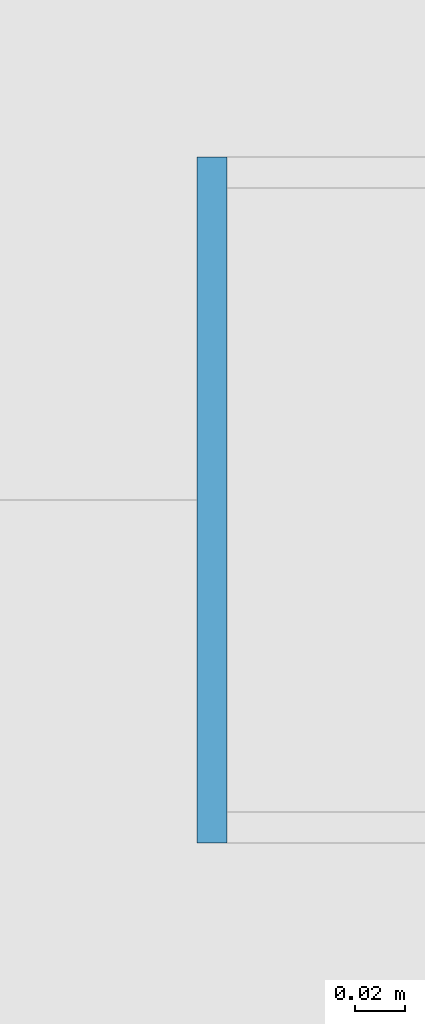
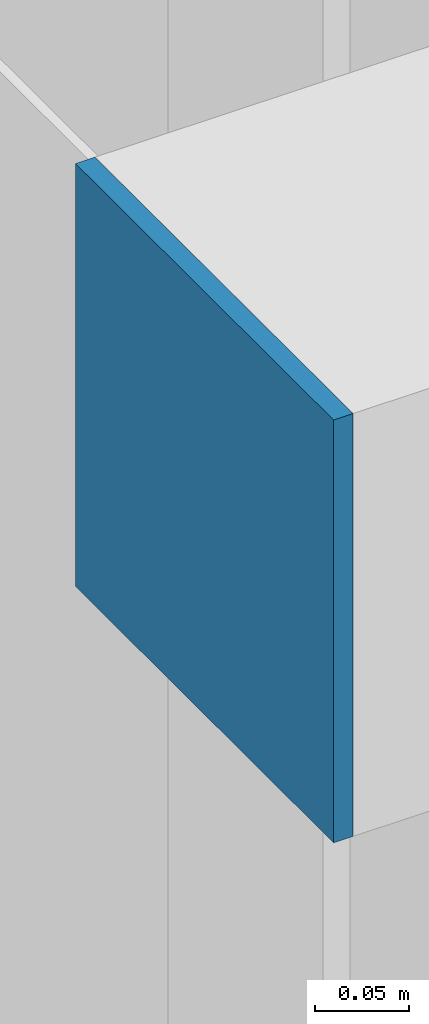
# One storey, part 46 of 58: 1 plate.
"""IFC4 building model written with IfcOpenShell, lengths in metres."""

from ifc_helpers import new_model, si_unit, direction, frame, origin, origin_2d, place, context, subcontext, project, spatial, rectangle, extrude, source, transform, mapped, material, layer, layer_set, type_object, element, save


model = new_model("IFC4")

# Units and contexts
model_context = context("Model", 3, precision=1e-05, world=origin(), true_north=direction((0.0, 1.0)))
body_context = subcontext(model_context, "Body", "Model", "MODEL_VIEW")
ifc_project = project(units=[si_unit("LENGTHUNIT", "METRE"), si_unit("AREAUNIT", "SQUARE_METRE"), si_unit("VOLUMEUNIT", "CUBIC_METRE"), si_unit("PLANEANGLEUNIT", "RADIAN"), si_unit("MASSUNIT", "GRAM", prefix="KILO")], contexts=[model_context])

# Site, building, storey
site_placement = place(None, origin())
site = spatial("IfcSite", under=ifc_project, at=site_placement, CompositionType="ELEMENT")
building_placement = place(site_placement, origin())
building = spatial("IfcBuilding", under=site, at=building_placement, Name="Taldren Reach Tower", CompositionType="ELEMENT")
storey_placement = place(building_placement, frame((0.0, 0.0, 51.449951171875)))
storey = spatial("IfcBuildingStorey", under=building, at=storey_placement, Name="L15", CompositionType="ELEMENT", Elevation=51.449951171875)

# Plate
ifc_material = material(Name="Steel Gr 450 (C450L0)", Category="steel")
ifc_layer = layer(ifc_material, 0.011962890625)
ifc_layer_set = layer_set([ifc_layer], Name="Steel Gr 450 (C450L0)")
plate_type = type_object("IfcPlateType", Name="PL-CAP-275", PredefinedType="SHEET", material=ifc_layer_set)
shared_shape = source(origin(), body_context, "Body", "SweptSolid", [
    extrude(rectangle(XDim=0.011962890625, YDim=0.27490234375, at=origin_2d()), origin(), (0.0, 0.0, 1.0), 0.27490234375),
])
plate_placement = place(storey_placement, frame((4.093994140625, 20.0, 2.5126953125), z_axis=(0.0, 0.0, 1.0), x_axis=(1.0, 0.0, 0.0)))
element("IfcPlate", 1, at=plate_placement, inside=storey, type_object=plate_type, Name="Tie strut end cap plate B1-W2 L15", PredefinedType="SHEET", context=body_context, shape_type="MappedRepresentation", body=[
    mapped(shared_shape, transform((0.0, 0.0, 0.0), scale=1.0)),
])

save(model, "model.ifc")
